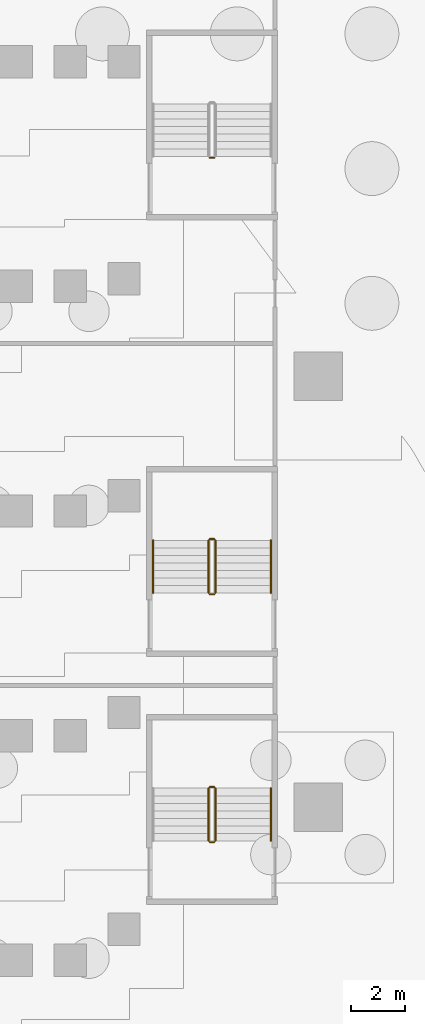
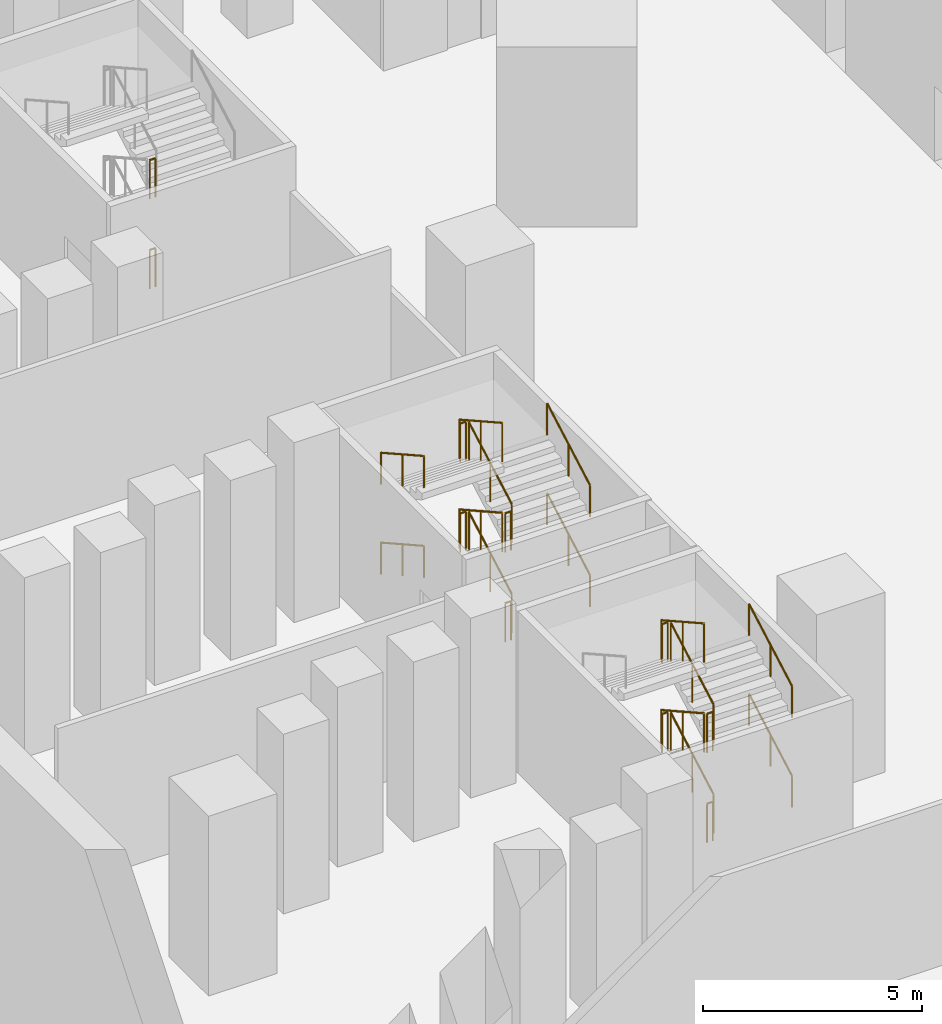
# One storey, part 20 of 27: 24 railings.
"""IFC4 building model written with IfcOpenShell, lengths in metres."""

from ifc_helpers import new_model, si_unit, direction, frame, origin, origin_2d, place, context, subcontext, project, spatial, circle, extrude, material, type_object, element, save


model = new_model("IFC4")

# Units and contexts
model_context = context("Model", 3, precision=1e-05, world=origin(), true_north=direction((0.0, 1.0)))
body_context = subcontext(model_context, "Body", "Model", "MODEL_VIEW")
ifc_project = project(units=[si_unit("LENGTHUNIT", "METRE"), si_unit("AREAUNIT", "SQUARE_METRE"), si_unit("VOLUMEUNIT", "CUBIC_METRE"), si_unit("PLANEANGLEUNIT", "RADIAN"), si_unit("MASSUNIT", "GRAM", prefix="KILO")], contexts=[model_context])

# Site, building, storey
site_placement = place(None, origin())
site = spatial("IfcSite", under=ifc_project, at=site_placement, CompositionType="ELEMENT")
building_placement = place(site_placement, origin())
building = spatial("IfcBuilding", under=site, at=building_placement, Name="Calabash Gate Tower", CompositionType="ELEMENT")
storey_placement = place(building_placement, frame((0.0, 0.0, -10.0)))
storey = spatial("IfcBuildingStorey", under=building, at=storey_placement, Name="B2", CompositionType="ELEMENT", Elevation=-10.0)

# Railings
ifc_material_1 = material(Name="Black powder-coated steel balusters", Category="steel")
railing_type_1 = type_object("IfcRailingType", Name="Stair guard RL1100", PredefinedType="GUARDRAIL", material=ifc_material_1)
railing_1_placement = place(storey_placement, frame((-35.81005859375, -9.239990234375, 0.15625)))
element("IfcRailing", 1, at=railing_1_placement, inside=storey, type_object=railing_type_1, Name="B2 PS3 stair guard 1", PredefinedType="GUARDRAIL", context=body_context, shape_type="SweptSolid", body=[
    extrude(circle(Radius=0.02392578125, at=origin_2d()), frame((0.0, 0.0, 1.076171875), z_axis=(0.0, 0.872479975208, 0.48864986735), x_axis=(-1.0, 0.0, 0.0)), (0.0, 0.0, 1.0), 2.23828125),
    extrude(circle(Radius=0.02099609375, at=origin_2d()), origin(), (0.0, 0.0, 1.0), 1.052001953125),
    extrude(circle(Radius=0.02099609375, at=origin_2d()), frame((0.0, 0.9765625, 0.546875)), (0.0, 0.0, 1.0), 1.052001953125),
    extrude(circle(Radius=0.02099609375, at=origin_2d()), frame((0.0, 1.952880859375, 1.09375)), (0.0, 0.0, 1.0), 1.052001953125),
])
railing_2_placement = place(storey_placement, frame((-35.860107421875, -7.237060546875, 1.25)))
element("IfcRailing", 2, at=railing_2_placement, inside=storey, type_object=railing_type_1, Name="B2 PS3 stair guard 2", PredefinedType="GUARDRAIL", context=body_context, shape_type="SweptSolid", body=[
    extrude(circle(Radius=0.02392578125, at=origin_2d()), frame((0.0, 0.0, 1.076171875), z_axis=(-1.0, 0.0, 0.0), x_axis=(0.0, -1.0, 0.0)), (0.0, 0.0, 1.0), 0.14990234375),
    extrude(circle(Radius=0.02099609375, at=origin_2d()), origin(), (0.0, 0.0, 1.0), 1.052001953125),
    extrude(circle(Radius=0.02099609375, at=origin_2d()), frame((-0.14990234375, 0.0, 0.0)), (0.0, 0.0, 1.0), 1.052001953125),
])
railing_3_placement = place(storey_placement, frame((-36.06005859375, -7.287109375, 1.40625)))
element("IfcRailing", 3, at=railing_3_placement, inside=storey, type_object=railing_type_1, Name="B2 PS3 stair guard 3", PredefinedType="GUARDRAIL", context=body_context, shape_type="SweptSolid", body=[
    extrude(circle(Radius=0.02392578125, at=origin_2d()), frame((0.0, 0.0, 1.076171875), z_axis=(0.0, -0.872479975208, 0.48864986735), x_axis=(1.0, 0.0, 0.0)), (0.0, 0.0, 1.0), 2.23828125),
    extrude(circle(Radius=0.02099609375, at=origin_2d()), origin(), (0.0, 0.0, 1.0), 1.052001953125),
    extrude(circle(Radius=0.02099609375, at=origin_2d()), frame((0.0, -0.9765625, 0.546875)), (0.0, 0.0, 1.0), 1.052001953125),
    extrude(circle(Radius=0.02099609375, at=origin_2d()), frame((0.0, -1.952880859375, 1.09375)), (0.0, 0.0, 1.0), 1.052001953125),
])
railing_4_placement = place(storey_placement, frame((-35.860107421875, -9.2900390625, 2.5)))
element("IfcRailing", 4, at=railing_4_placement, inside=storey, type_object=railing_type_1, Name="B2 PS3 stair guard 4", PredefinedType="GUARDRAIL", context=body_context, shape_type="SweptSolid", body=[
    extrude(circle(Radius=0.02392578125, at=origin_2d()), frame((0.0, 0.0, 1.076171875), z_axis=(-1.0, 0.0, 0.0), x_axis=(0.0, -1.0, 0.0)), (0.0, 0.0, 1.0), 0.14990234375),
    extrude(circle(Radius=0.02099609375, at=origin_2d()), origin(), (0.0, 0.0, 1.0), 1.052001953125),
    extrude(circle(Radius=0.02099609375, at=origin_2d()), frame((-0.14990234375, 0.0, 0.0)), (0.0, 0.0, 1.0), 1.052001953125),
])
railing_5_placement = place(storey_placement, frame((-35.81005859375, -9.239990234375, 2.65625)))
element("IfcRailing", 5, at=railing_5_placement, inside=storey, type_object=railing_type_1, Name="B2 PS3 stair guard 5", PredefinedType="GUARDRAIL", context=body_context, shape_type="SweptSolid", body=[
    extrude(circle(Radius=0.02392578125, at=origin_2d()), frame((0.0, 0.0, 1.076171875), z_axis=(0.0, 0.872479975208, 0.48864986735), x_axis=(-1.0, 0.0, 0.0)), (0.0, 0.0, 1.0), 2.23828125),
    extrude(circle(Radius=0.02099609375, at=origin_2d()), origin(), (0.0, 0.0, 1.0), 1.052001953125),
    extrude(circle(Radius=0.02099609375, at=origin_2d()), frame((0.0, 0.9765625, 0.546875)), (0.0, 0.0, 1.0), 1.052001953125),
    extrude(circle(Radius=0.02099609375, at=origin_2d()), frame((0.0, 1.952880859375, 1.09375)), (0.0, 0.0, 1.0), 1.052001953125),
])
railing_6_placement = place(storey_placement, frame((-35.860107421875, -7.237060546875, 3.75)))
element("IfcRailing", 6, at=railing_6_placement, inside=storey, type_object=railing_type_1, Name="B2 PS3 stair guard 6", PredefinedType="GUARDRAIL", context=body_context, shape_type="SweptSolid", body=[
    extrude(circle(Radius=0.02392578125, at=origin_2d()), frame((0.0, 0.0, 1.076171875), z_axis=(-1.0, 0.0, 0.0), x_axis=(0.0, -1.0, 0.0)), (0.0, 0.0, 1.0), 0.14990234375),
    extrude(circle(Radius=0.02099609375, at=origin_2d()), origin(), (0.0, 0.0, 1.0), 1.052001953125),
    extrude(circle(Radius=0.02099609375, at=origin_2d()), frame((-0.14990234375, 0.0, 0.0)), (0.0, 0.0, 1.0), 1.052001953125),
])
railing_7_placement = place(storey_placement, frame((-36.06005859375, -7.287109375, 3.90625)))
element("IfcRailing", 7, at=railing_7_placement, inside=storey, type_object=railing_type_1, Name="B2 PS3 stair guard 7", PredefinedType="GUARDRAIL", context=body_context, shape_type="SweptSolid", body=[
    extrude(circle(Radius=0.02392578125, at=origin_2d()), frame((0.0, 0.0, 1.076171875), z_axis=(0.0, -0.872479975208, 0.48864986735), x_axis=(1.0, 0.0, 0.0)), (0.0, 0.0, 1.0), 2.23828125),
    extrude(circle(Radius=0.02099609375, at=origin_2d()), origin(), (0.0, 0.0, 1.0), 1.052001953125),
    extrude(circle(Radius=0.02099609375, at=origin_2d()), frame((0.0, -0.9765625, 0.546875)), (0.0, 0.0, 1.0), 1.052001953125),
    extrude(circle(Radius=0.02099609375, at=origin_2d()), frame((0.0, -1.952880859375, 1.09375)), (0.0, 0.0, 1.0), 1.052001953125),
])
railing_8_placement = place(storey_placement, frame((-35.860107421875, -9.2900390625, 0.0)))
element("IfcRailing", 8, at=railing_8_placement, inside=storey, type_object=railing_type_1, Name="B2 PS3 stair guard 8", PredefinedType="GUARDRAIL", context=body_context, shape_type="SweptSolid", body=[
    extrude(circle(Radius=0.02392578125, at=origin_2d()), frame((0.0, 0.0, 1.076171875), z_axis=(-1.0, 0.0, 0.0), x_axis=(0.0, -1.0, 0.0)), (0.0, 0.0, 1.0), 0.14990234375),
    extrude(circle(Radius=0.02099609375, at=origin_2d()), origin(), (0.0, 0.0, 1.0), 1.052001953125),
    extrude(circle(Radius=0.02099609375, at=origin_2d()), frame((-0.14990234375, 0.0, 0.0)), (0.0, 0.0, 1.0), 1.052001953125),
])
railing_9_placement = place(storey_placement, frame((-35.81005859375, -0.0400390625, 0.15625)))
element("IfcRailing", 9, at=railing_9_placement, inside=storey, type_object=railing_type_1, Name="B2 PS4 stair guard 1", PredefinedType="GUARDRAIL", context=body_context, shape_type="SweptSolid", body=[
    extrude(circle(Radius=0.02392578125, at=origin_2d()), frame((0.0, 0.0, 1.076171875), z_axis=(0.0, 0.87250601595, 0.488603368932), x_axis=(-1.0, 0.0, 0.0)), (0.0, 0.0, 1.0), 2.238525390625),
    extrude(circle(Radius=0.02099609375, at=origin_2d()), origin(), (0.0, 0.0, 1.0), 1.052001953125),
    extrude(circle(Radius=0.02099609375, at=origin_2d()), frame((0.0, 0.9765625, 0.546875)), (0.0, 0.0, 1.0), 1.052001953125),
    extrude(circle(Radius=0.02099609375, at=origin_2d()), frame((0.0, 1.953125, 1.09375)), (0.0, 0.0, 1.0), 1.052001953125),
])
railing_10_placement = place(storey_placement, frame((-35.860107421875, 1.962890625, 1.25)))
element("IfcRailing", 10, at=railing_10_placement, inside=storey, type_object=railing_type_1, Name="B2 PS4 stair guard 2", PredefinedType="GUARDRAIL", context=body_context, shape_type="SweptSolid", body=[
    extrude(circle(Radius=0.02392578125, at=origin_2d()), frame((0.0, 0.0, 1.076171875), z_axis=(-1.0, 0.0, 0.0), x_axis=(0.0, -1.0, 0.0)), (0.0, 0.0, 1.0), 0.14990234375),
    extrude(circle(Radius=0.02099609375, at=origin_2d()), origin(), (0.0, 0.0, 1.0), 1.052001953125),
    extrude(circle(Radius=0.02099609375, at=origin_2d()), frame((-0.14990234375, 0.0, 0.0)), (0.0, 0.0, 1.0), 1.052001953125),
])
railing_11_placement = place(storey_placement, frame((-36.06005859375, 1.9130859375, 1.40625)))
element("IfcRailing", 11, at=railing_11_placement, inside=storey, type_object=railing_type_1, Name="B2 PS4 stair guard 3", PredefinedType="GUARDRAIL", context=body_context, shape_type="SweptSolid", body=[
    extrude(circle(Radius=0.02392578125, at=origin_2d()), frame((0.0, 0.0, 1.076171875), z_axis=(0.0, -0.87250601595, 0.488603368932), x_axis=(1.0, 0.0, 0.0)), (0.0, 0.0, 1.0), 2.238525390625),
    extrude(circle(Radius=0.02099609375, at=origin_2d()), origin(), (0.0, 0.0, 1.0), 1.052001953125),
    extrude(circle(Radius=0.02099609375, at=origin_2d()), frame((0.0, -0.9765625, 0.546875)), (0.0, 0.0, 1.0), 1.052001953125),
    extrude(circle(Radius=0.02099609375, at=origin_2d()), frame((0.0, -1.953125, 1.09375)), (0.0, 0.0, 1.0), 1.052001953125),
])
railing_12_placement = place(storey_placement, frame((-35.860107421875, -0.090087890625, 2.5)))
element("IfcRailing", 12, at=railing_12_placement, inside=storey, type_object=railing_type_1, Name="B2 PS4 stair guard 4", PredefinedType="GUARDRAIL", context=body_context, shape_type="SweptSolid", body=[
    extrude(circle(Radius=0.02392578125, at=origin_2d()), frame((0.0, 0.0, 1.076171875), z_axis=(-1.0, 0.0, 0.0), x_axis=(0.0, -1.0, 0.0)), (0.0, 0.0, 1.0), 0.14990234375),
    extrude(circle(Radius=0.02099609375, at=origin_2d()), origin(), (0.0, 0.0, 1.0), 1.052001953125),
    extrude(circle(Radius=0.02099609375, at=origin_2d()), frame((-0.14990234375, 0.0, 0.0)), (0.0, 0.0, 1.0), 1.052001953125),
])
railing_13_placement = place(storey_placement, frame((-35.81005859375, -0.0400390625, 2.65625)))
element("IfcRailing", 13, at=railing_13_placement, inside=storey, type_object=railing_type_1, Name="B2 PS4 stair guard 5", PredefinedType="GUARDRAIL", context=body_context, shape_type="SweptSolid", body=[
    extrude(circle(Radius=0.02392578125, at=origin_2d()), frame((0.0, 0.0, 1.076171875), z_axis=(0.0, 0.87250601595, 0.488603368932), x_axis=(-1.0, 0.0, 0.0)), (0.0, 0.0, 1.0), 2.238525390625),
    extrude(circle(Radius=0.02099609375, at=origin_2d()), origin(), (0.0, 0.0, 1.0), 1.052001953125),
    extrude(circle(Radius=0.02099609375, at=origin_2d()), frame((0.0, 0.9765625, 0.546875)), (0.0, 0.0, 1.0), 1.052001953125),
    extrude(circle(Radius=0.02099609375, at=origin_2d()), frame((0.0, 1.953125, 1.09375)), (0.0, 0.0, 1.0), 1.052001953125),
])
railing_14_placement = place(storey_placement, frame((-35.860107421875, 1.962890625, 3.75)))
element("IfcRailing", 14, at=railing_14_placement, inside=storey, type_object=railing_type_1, Name="B2 PS4 stair guard 6", PredefinedType="GUARDRAIL", context=body_context, shape_type="SweptSolid", body=[
    extrude(circle(Radius=0.02392578125, at=origin_2d()), frame((0.0, 0.0, 1.076171875), z_axis=(-1.0, 0.0, 0.0), x_axis=(0.0, -1.0, 0.0)), (0.0, 0.0, 1.0), 0.14990234375),
    extrude(circle(Radius=0.02099609375, at=origin_2d()), origin(), (0.0, 0.0, 1.0), 1.052001953125),
    extrude(circle(Radius=0.02099609375, at=origin_2d()), frame((-0.14990234375, 0.0, 0.0)), (0.0, 0.0, 1.0), 1.052001953125),
])
railing_15_placement = place(storey_placement, frame((-36.06005859375, 1.9130859375, 3.90625)))
element("IfcRailing", 15, at=railing_15_placement, inside=storey, type_object=railing_type_1, Name="B2 PS4 stair guard 7", PredefinedType="GUARDRAIL", context=body_context, shape_type="SweptSolid", body=[
    extrude(circle(Radius=0.02392578125, at=origin_2d()), frame((0.0, 0.0, 1.076171875), z_axis=(0.0, -0.87250601595, 0.488603368932), x_axis=(1.0, 0.0, 0.0)), (0.0, 0.0, 1.0), 2.238525390625),
    extrude(circle(Radius=0.02099609375, at=origin_2d()), origin(), (0.0, 0.0, 1.0), 1.052001953125),
    extrude(circle(Radius=0.02099609375, at=origin_2d()), frame((0.0, -0.9765625, 0.546875)), (0.0, 0.0, 1.0), 1.052001953125),
    extrude(circle(Radius=0.02099609375, at=origin_2d()), frame((0.0, -1.953125, 1.09375)), (0.0, 0.0, 1.0), 1.052001953125),
])
for number, where, name in (
    (16, (-35.860107421875, -0.090087890625, 0.0), "B2 PS4 stair guard 8"),
    (17, (-35.860107421875, 16.110107421875, 2.5), "B2 PS5 stair guard 4"),
    (18, (-35.860107421875, 16.110107421875, 0.0), "B2 PS5 stair guard 8"),
):
    element("IfcRailing", number, at=place(storey_placement, frame(where)), inside=storey, type_object=railing_type_1, Name=name, PredefinedType="GUARDRAIL", context=body_context, shape_type="SweptSolid", body=[
        extrude(circle(Radius=0.02392578125, at=origin_2d()), frame((0.0, 0.0, 1.076171875), z_axis=(-1.0, 0.0, 0.0), x_axis=(0.0, -1.0, 0.0)), (0.0, 0.0, 1.0), 0.14990234375),
        extrude(circle(Radius=0.02099609375, at=origin_2d()), origin(), (0.0, 0.0, 1.0), 1.052001953125),
        extrude(circle(Radius=0.02099609375, at=origin_2d()), frame((-0.14990234375, 0.0, 0.0)), (0.0, 0.0, 1.0), 1.052001953125),
    ])
ifc_material_2 = material(Name="Black powder-coated steel tube 48 mm", Category="steel")
railing_type_2 = type_object("IfcRailingType", Name="Stair handrail RL900", PredefinedType="HANDRAIL", material=ifc_material_2)
for number, where, name in (
    (19, (-33.75, -9.239990234375, 0.15625), "B2 PS3 stair handrail 1"),
    (20, (-33.75, -9.239990234375, 2.65625), "B2 PS3 stair handrail 3"),
):
    element("IfcRailing", number, at=place(storey_placement, frame(where)), inside=storey, type_object=railing_type_2, Name=name, PredefinedType="HANDRAIL", context=body_context, shape_type="SweptSolid", body=[
        extrude(circle(Radius=0.02392578125, at=origin_2d()), frame((0.0, 0.0, 0.8759765625), z_axis=(0.0, 0.872479975208, 0.48864986735), x_axis=(-1.0, 0.0, 0.0)), (0.0, 0.0, 1.0), 2.23828125),
        extrude(circle(Radius=0.02099609375, at=origin_2d()), origin(), (0.0, 0.0, 1.0), 0.851806640625),
        extrude(circle(Radius=0.02099609375, at=origin_2d()), frame((0.0, 0.9765625, 0.546875)), (0.0, 0.0, 1.0), 0.851806640625),
        extrude(circle(Radius=0.02099609375, at=origin_2d()), frame((0.0, 1.952880859375, 1.09375)), (0.0, 0.0, 1.0), 0.851806640625),
    ])
railing_16_placement = place(storey_placement, frame((-33.75, -0.0400390625, 0.15625)))
element("IfcRailing", 21, at=railing_16_placement, inside=storey, type_object=railing_type_2, Name="B2 PS4 stair handrail 1", PredefinedType="HANDRAIL", context=body_context, shape_type="SweptSolid", body=[
    extrude(circle(Radius=0.02392578125, at=origin_2d()), frame((0.0, 0.0, 0.8759765625), z_axis=(0.0, 0.87250601595, 0.488603368932), x_axis=(-1.0, 0.0, 0.0)), (0.0, 0.0, 1.0), 2.238525390625),
    extrude(circle(Radius=0.02099609375, at=origin_2d()), origin(), (0.0, 0.0, 1.0), 0.851806640625),
    extrude(circle(Radius=0.02099609375, at=origin_2d()), frame((0.0, 0.9765625, 0.546875)), (0.0, 0.0, 1.0), 0.851806640625),
    extrude(circle(Radius=0.02099609375, at=origin_2d()), frame((0.0, 1.953125, 1.09375)), (0.0, 0.0, 1.0), 0.851806640625),
])
railing_17_placement = place(storey_placement, frame((-38.1201171875, 1.9130859375, 1.40625)))
element("IfcRailing", 22, at=railing_17_placement, inside=storey, type_object=railing_type_2, Name="B2 PS4 stair handrail 2", PredefinedType="HANDRAIL", context=body_context, shape_type="SweptSolid", body=[
    extrude(circle(Radius=0.02392578125, at=origin_2d()), frame((0.0, 0.0, 0.8759765625), z_axis=(0.0, -0.87250601595, 0.488603368932), x_axis=(1.0, 0.0, 0.0)), (0.0, 0.0, 1.0), 2.238525390625),
    extrude(circle(Radius=0.02099609375, at=origin_2d()), origin(), (0.0, 0.0, 1.0), 0.851806640625),
    extrude(circle(Radius=0.02099609375, at=origin_2d()), frame((0.0, -0.9765625, 0.546875)), (0.0, 0.0, 1.0), 0.851806640625),
    extrude(circle(Radius=0.02099609375, at=origin_2d()), frame((0.0, -1.953125, 1.09375)), (0.0, 0.0, 1.0), 0.851806640625),
])
railing_18_placement = place(storey_placement, frame((-33.75, -0.0400390625, 2.65625)))
element("IfcRailing", 23, at=railing_18_placement, inside=storey, type_object=railing_type_2, Name="B2 PS4 stair handrail 3", PredefinedType="HANDRAIL", context=body_context, shape_type="SweptSolid", body=[
    extrude(circle(Radius=0.02392578125, at=origin_2d()), frame((0.0, 0.0, 0.8759765625), z_axis=(0.0, 0.87250601595, 0.488603368932), x_axis=(-1.0, 0.0, 0.0)), (0.0, 0.0, 1.0), 2.238525390625),
    extrude(circle(Radius=0.02099609375, at=origin_2d()), origin(), (0.0, 0.0, 1.0), 0.851806640625),
    extrude(circle(Radius=0.02099609375, at=origin_2d()), frame((0.0, 0.9765625, 0.546875)), (0.0, 0.0, 1.0), 0.851806640625),
    extrude(circle(Radius=0.02099609375, at=origin_2d()), frame((0.0, 1.953125, 1.09375)), (0.0, 0.0, 1.0), 0.851806640625),
])
railing_19_placement = place(storey_placement, frame((-38.1201171875, 1.9130859375, 3.90625)))
element("IfcRailing", 24, at=railing_19_placement, inside=storey, type_object=railing_type_2, Name="B2 PS4 stair handrail 4", PredefinedType="HANDRAIL", context=body_context, shape_type="SweptSolid", body=[
    extrude(circle(Radius=0.02392578125, at=origin_2d()), frame((0.0, 0.0, 0.8759765625), z_axis=(0.0, -0.87250601595, 0.488603368932), x_axis=(1.0, 0.0, 0.0)), (0.0, 0.0, 1.0), 2.238525390625),
    extrude(circle(Radius=0.02099609375, at=origin_2d()), origin(), (0.0, 0.0, 1.0), 0.851806640625),
    extrude(circle(Radius=0.02099609375, at=origin_2d()), frame((0.0, -0.9765625, 0.546875)), (0.0, 0.0, 1.0), 0.851806640625),
    extrude(circle(Radius=0.02099609375, at=origin_2d()), frame((0.0, -1.953125, 1.09375)), (0.0, 0.0, 1.0), 0.851806640625),
])

save(model, "model.ifc")
